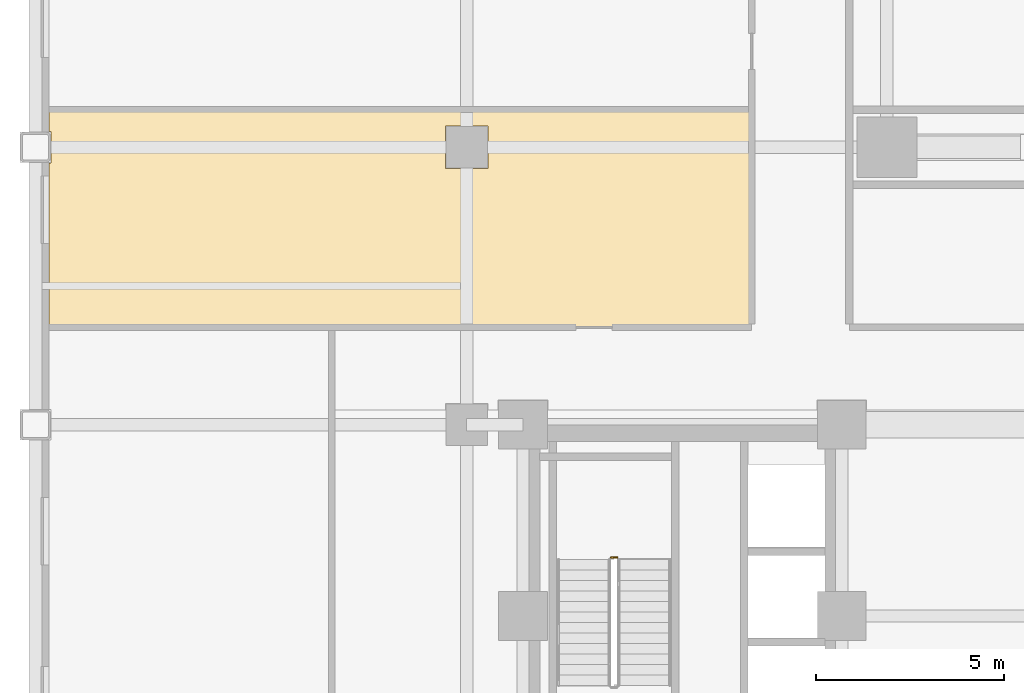
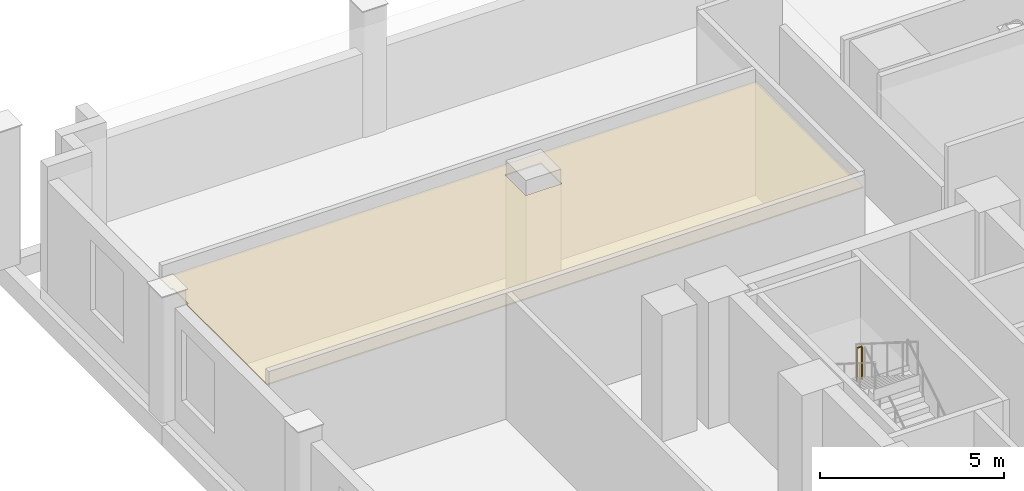
# One storey, part 15 of 17: 1 covering, 1 railing.
"""IFC4 building model written with IfcOpenShell, lengths in metres."""

import ifcopenshell
import ifcopenshell.guid

model = None  # the IFC model being written
_history = None  # IfcOwnerHistory: only IFC2X3 demands one
_inside = {}  # id of a spatial element -> (the spatial element, [elements in it])
_under = {}  # id of a project, library or spatial element -> (it, [spatial elements below it])
_declared = {}  # id of a project -> (the project, [libraries it declares])
_typed = {}  # id of a type object -> (the type object, [elements of that type])
_made_of = {}  # id of a material, layer set ... -> (it, [elements and type objects made of it])


def new_model(schema):
    """Start an empty IFC model of exactly this schema.

    Asked for "IFC4X3", IfcOpenShell would pick the latest addendum, in which some entities
    have other attributes; the version numbers below select the first issue.
    IFC2X3 requires an IfcOwnerHistory on every rooted entity: one is made here for all.
    """
    global model, _history
    if schema == "IFC4X3":
        model = ifcopenshell.file(schema_version=(4, 3, 0, 0))
    else:
        model = ifcopenshell.file(schema=schema)
    _inside.clear()
    _under.clear()
    _declared.clear()
    _typed.clear()
    _made_of.clear()
    _history = None
    if model.schema == "IFC2X3":
        org = make("IfcOrganization", Name="unknown")
        user = make(
            "IfcPersonAndOrganization",
            ThePerson=make("IfcPerson", FamilyName="unknown"),
            TheOrganization=org,
        )
        app = make(
            "IfcApplication",
            ApplicationDeveloper=org,
            Version="unknown",
            ApplicationFullName="unknown",
            ApplicationIdentifier="unknown",
        )
        _history = make(
            "IfcOwnerHistory",
            OwningUser=user,
            OwningApplication=app,
            ChangeAction="ADDED",
            CreationDate=0,
        )
    return model


def make(cls, **values):
    """One entity of the class cls with the attributes given. An attribute that is None is left unset."""
    return model.create_entity(
        cls, **{name: value for name, value in values.items() if value is not None}
    )


def rooted(cls, **values):
    """An entity with a GlobalId (a new one), such as an element, a storey or a relation."""
    return make(cls, GlobalId=ifcopenshell.guid.new(), OwnerHistory=_history, **values)


def si_unit(unit_type, name, prefix=None):
    """IfcSIUnit, for example si_unit("LENGTHUNIT", "METRE", prefix="MILLI")."""
    return make("IfcSIUnit", UnitType=unit_type, Prefix=prefix, Name=name)


def assignment(units):
    """IfcUnitAssignment: the units of a project."""
    return None if units is None else make("IfcUnitAssignment", Units=units)


def point(xyz):
    """IfcCartesianPoint."""
    return None if xyz is None else make("IfcCartesianPoint", Coordinates=xyz)


def direction(xyz):
    """IfcDirection."""
    return None if xyz is None else make("IfcDirection", DirectionRatios=xyz)


def frame(location, z_axis=None, x_axis=None):
    """IfcAxis2Placement3D, a coordinate frame: its origin and axes. An axis left out is left unset."""
    return make(
        "IfcAxis2Placement3D",
        Location=point(location),
        Axis=direction(z_axis),
        RefDirection=direction(x_axis),
    )


def frame_2d(location, x_axis=None):
    """IfcAxis2Placement2D, a coordinate frame in the plane: its origin and x axis."""
    return make(
        "IfcAxis2Placement2D", Location=point(location), RefDirection=direction(x_axis)
    )


def origin():
    """The frame at (0, 0, 0) with its axes left unset."""
    return frame((0.0, 0.0, 0.0))


def origin_2d():
    """The frame at (0, 0) in the plane with its x axis left unset."""
    return frame_2d((0.0, 0.0))


def place(relative_to, where):
    """IfcLocalPlacement: puts the frame where relative to a parent placement (None: the world)."""
    return make(
        "IfcLocalPlacement", PlacementRelTo=relative_to, RelativePlacement=where
    )


def context(
    kind, dimensions, precision=None, world=None, true_north=None, identifier=None
):
    """IfcGeometricRepresentationContext, for example the 3D "Model" context."""
    return make(
        "IfcGeometricRepresentationContext",
        ContextIdentifier=identifier,
        ContextType=kind,
        CoordinateSpaceDimension=dimensions,
        Precision=precision,
        WorldCoordinateSystem=world,
        TrueNorth=true_north,
    )


def subcontext(parent, identifier, kind, view, scale=None):
    """IfcGeometricRepresentationSubContext, for example "Body" below "Model"."""
    return make(
        "IfcGeometricRepresentationSubContext",
        ContextIdentifier=identifier,
        ContextType=kind,
        ParentContext=parent,
        TargetScale=scale,
        TargetView=view,
    )


def project(units=None, contexts=None):
    """IfcProject with its units and contexts."""
    return rooted(
        "IfcProject",
        Name="project",
        RepresentationContexts=contexts,
        UnitsInContext=assignment(units),
    )


def spatial(cls, under=None, at=None, **own):
    """A site, building, storey or space (cls), placed at a placement, below another one or the project."""
    s = rooted(cls, ObjectPlacement=at, **own)
    if under is not None:
        _under.setdefault(under.id(), (under, []))[1].append(s)
    return s


def polyline(points):
    """IfcPolyline through the points."""
    return make("IfcPolyline", Points=[point(p) for p in points])


def profile(cls, at=None, kind="AREA", **sizes):
    """A parametric profile (cls). Its sizes go by their IFC names, for example OverallWidth=200.0."""
    return make(cls, ProfileType=kind, Position=at, **sizes)


def circle(**sizes):
    """IfcCircleProfileDef."""
    return profile("IfcCircleProfileDef", **sizes)


def outline(outer, holes=None, kind="AREA"):
    """IfcArbitraryClosedProfileDef: a profile drawn as a closed curve; with holes, ...WithVoids."""
    if holes is None:
        return make("IfcArbitraryClosedProfileDef", ProfileType=kind, OuterCurve=outer)
    return make(
        "IfcArbitraryProfileDefWithVoids",
        ProfileType=kind,
        OuterCurve=outer,
        InnerCurves=holes,
    )


def extrude(swept, where, along, depth):
    """IfcExtrudedAreaSolid: the profile swept, set in the frame where, extruded along a direction by depth."""
    return make(
        "IfcExtrudedAreaSolid",
        SweptArea=swept,
        Position=where,
        ExtrudedDirection=direction(along),
        Depth=depth,
    )


def shape(context_of_items, identifier, shape_type, items):
    """IfcShapeRepresentation: the items that make up one representation, for example the "Body"."""
    return make(
        "IfcShapeRepresentation",
        ContextOfItems=context_of_items,
        RepresentationIdentifier=identifier,
        RepresentationType=shape_type,
        Items=items,
    )


def material(Name=None, Category=None):
    """IfcMaterial."""
    return make("IfcMaterial", Name=Name, Category=Category)


def layer(
    of_material, thickness, ventilated=None, Name=None, Category=None, Priority=None
):
    """IfcMaterialLayer: one layer of a wall or slab, of a material (None: an air gap)."""
    return make(
        "IfcMaterialLayer",
        Material=of_material,
        LayerThickness=thickness,
        IsVentilated=ventilated,
        Name=Name,
        Category=Category,
        Priority=Priority,
    )


def layer_set(layers, Name=None):
    """IfcMaterialLayerSet."""
    return make("IfcMaterialLayerSet", MaterialLayers=layers, LayerSetName=Name)


def made_of(thing, what):
    """Note that an element or type object is made of a material, layer set ...; save() writes the relation."""
    if what is not None:
        _made_of.setdefault(what.id(), (what, []))[1].append(thing)
    return thing


def type_object(cls, material=None, **own):
    """A type object (cls), such as IfcWallType, which elements share."""
    return made_of(rooted(cls, **own), material)


def element(
    cls,
    number,
    at=None,
    inside=None,
    cuts=None,
    type_object=None,
    material=None,
    context=None,
    identifier="Body",
    shape_type=None,
    held_by="IfcProductDefinitionShape",
    body=None,
    shapes=None,
    **own,
):
    """One element of the class cls, such as IfcWall. Its Tag is "e" and its number.

    at: its placement. inside: the storey or other place that contains it. cuts: it is an
    opening in that element (IfcRelVoidsElement). A single representation is given by context,
    identifier, shape_type and body (its items); several are given by shapes. held_by: the class
    of the entity that holds the representations. save() writes the other relations.
    """
    e = rooted(cls, Tag="e%d" % number, ObjectPlacement=at, **own)
    if body is not None:
        shapes = [shape(context, identifier, shape_type, body)]
    if shapes is not None:
        e.Representation = make(held_by, Representations=shapes)
    if inside is not None:
        _inside.setdefault(inside.id(), (inside, []))[1].append(e)
    if cuts is not None:
        rooted(
            "IfcRelVoidsElement", RelatingBuildingElement=cuts, RelatedOpeningElement=e
        )
    if type_object is not None:
        _typed.setdefault(type_object.id(), (type_object, []))[1].append(e)
    return made_of(e, material)


def aggregate(whole, parts):
    """IfcRelAggregates: a whole, such as a stair, and the parts it consists of."""
    return rooted("IfcRelAggregates", RelatingObject=whole, RelatedObjects=parts)


def save(model, path):
    """Write the relations noted so far, then the file.

    IfcRelAggregates (storeys below a building ...), IfcRelContainedInSpatialStructure (elements
    in a storey), IfcRelDefinesByType, IfcRelAssociatesMaterial and IfcRelDeclares: one each for
    every whole, place, type object, material and project.
    """
    for whole, parts in _under.values():
        aggregate(whole, parts)
    for where, things in _inside.values():
        rooted(
            "IfcRelContainedInSpatialStructure",
            RelatedElements=things,
            RelatingStructure=where,
        )
    for kind, things in _typed.values():
        rooted("IfcRelDefinesByType", RelatedObjects=things, RelatingType=kind)
    for what, things in _made_of.values():
        rooted("IfcRelAssociatesMaterial", RelatedObjects=things, RelatingMaterial=what)
    for by, libraries in _declared.values():
        rooted("IfcRelDeclares", RelatingContext=by, RelatedDefinitions=libraries)
    model.write(path)


model = new_model("IFC4")

# Units and contexts
model_context = context("Model", 3, precision=1e-05, world=origin(), true_north=direction((0.0, 1.0)))
body_context = subcontext(model_context, "Body", "Model", "MODEL_VIEW")
ifc_project = project(units=[si_unit("LENGTHUNIT", "METRE"), si_unit("AREAUNIT", "SQUARE_METRE"), si_unit("VOLUMEUNIT", "CUBIC_METRE"), si_unit("PLANEANGLEUNIT", "RADIAN"), si_unit("MASSUNIT", "GRAM", prefix="KILO")], contexts=[model_context])

# Site, building, storey
site_placement = place(None, origin())
site = spatial("IfcSite", under=ifc_project, at=site_placement, CompositionType="ELEMENT")
building_placement = place(site_placement, origin())
building = spatial("IfcBuilding", under=site, at=building_placement, Name="Nuvemarco Arch Tower", CompositionType="ELEMENT")
storey_placement = place(building_placement, frame((0.0, 0.0, 23.0)))
storey = spatial("IfcBuildingStorey", under=building, at=storey_placement, Name="L05", CompositionType="ELEMENT", Elevation=23.0)

# Covering
ifc_material_1 = material(Name="Mineral acoustic ceiling tile")
ifc_layer = layer(ifc_material_1, 0.0400390625, Name="COV-ACOUSTIC-CLG")
ifc_layer_set = layer_set([ifc_layer], Name="Mineral acoustic ceiling tile")
covering_type = type_object("IfcCoveringType", Name="COV-ACOUSTIC-CLG", PredefinedType="CEILING", material=ifc_layer_set)
covering_placement = place(storey_placement, frame((0.0, 0.0, 3.679931640625)))
element("IfcCovering", 1, at=covering_placement, inside=storey, type_object=covering_type, Name="L05 suspended acoustic ceiling 6", PredefinedType="CEILING", context=body_context, shape_type="SweptSolid", body=[
    extrude(outline(polyline([(-30.139892578125, 16.5849609375), (-30.0849609375, 16.5849609375), (-30.0849609375, 17.4150390625), (-30.139892578125, 17.4150390625), (-30.139892578125, 18.0), (-11.39990234375, 18.0), (-11.39990234375, 12.199951171875), (-19.800048828125, 12.199951171875), (-22.60009765625, 12.199951171875), (-30.139892578125, 12.199951171875), (-30.139892578125, 16.5849609375)]), holes=[polyline([(-18.43505859375, 16.43505859375), (-18.43505859375, 17.56494140625), (-19.56494140625, 17.56494140625), (-19.56494140625, 16.43505859375), (-18.43505859375, 16.43505859375)])]), origin(), (0.0, 0.0, 1.0), 0.0400390625),
])

# Railing
ifc_material_2 = material(Name="Painted balustrade steel S355", Category="steel")
railing_type = type_object("IfcRailingType", Name="RL-STAIR-GUARD", PredefinedType="GUARDRAIL", material=ifc_material_2)
railing_placement = place(storey_placement, frame((-14.989990234375, 6.06005859375, 2.300048828125)))
element("IfcRailing", 2, at=railing_placement, inside=storey, type_object=railing_type, Name="L05 ST-1 stair guard 2", PredefinedType="GUARDRAIL", context=body_context, shape_type="SweptSolid", body=[
    extrude(circle(Radius=0.02392578125, at=origin_2d()), frame((0.0, 0.0, 1.09619140625), z_axis=(-1.0, 0.0, 0.0), x_axis=(0.0, -1.0, 0.0)), (0.0, 0.0, 1.0), 0.159912109375),
    extrude(circle(Radius=0.02099609375, at=origin_2d()), origin(), (0.0, 0.0, 1.0), 1.072021484375),
    extrude(circle(Radius=0.02099609375, at=origin_2d()), frame((-0.159912109375, 0.0, 0.0)), (0.0, 0.0, 1.0), 1.072021484375),
])

save(model, "model.ifc")
